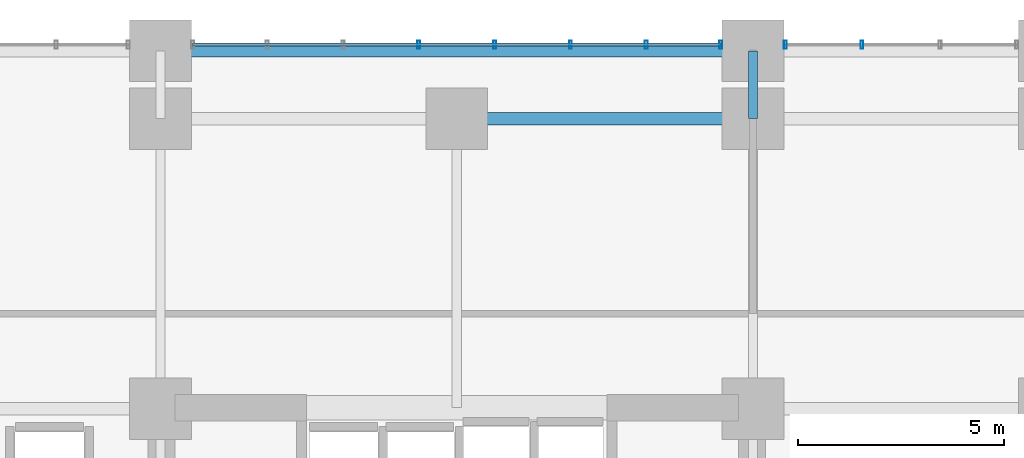
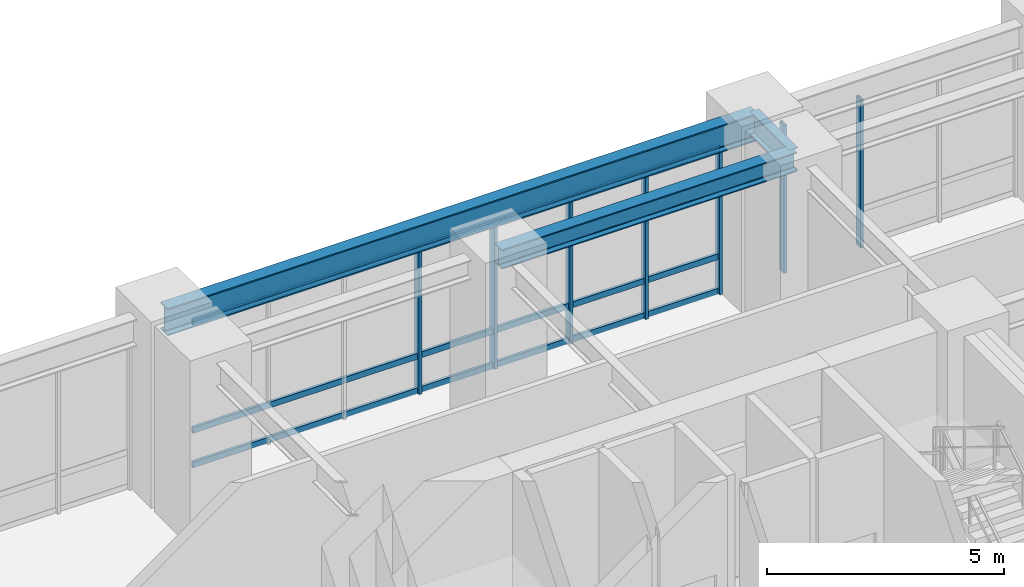
# One storey, part 6 of 22: 10 members, 3 beams, 2 elements without a shape of their own.
"""IFC4 building model written with IfcOpenShell, lengths in metres."""

from ifc_helpers import new_model, si_unit, direction, frame, origin, origin_2d, place, context, subcontext, project, spatial, hollow_rectangle, i_section, extrude, source, transform, mapped, material, layer, layer_set, material_profile, profile_set, type_object, element, aggregate, save


model = new_model("IFC4")

# Units and contexts
model_context = context("Model", 3, precision=1e-05, world=origin(), true_north=direction((0.0, 1.0)))
body_context = subcontext(model_context, "Body", "Model", "MODEL_VIEW")
ifc_project = project(units=[si_unit("LENGTHUNIT", "METRE"), si_unit("AREAUNIT", "SQUARE_METRE"), si_unit("VOLUMEUNIT", "CUBIC_METRE"), si_unit("PLANEANGLEUNIT", "RADIAN"), si_unit("MASSUNIT", "GRAM", prefix="KILO")], contexts=[model_context])

# Site, building, storey
site_placement = place(None, origin())
site = spatial("IfcSite", under=ifc_project, at=site_placement, CompositionType="ELEMENT")
building_placement = place(site_placement, origin())
building = spatial("IfcBuilding", under=site, at=building_placement, Name="Kaliganga Portal Commons", CompositionType="ELEMENT")
storey_placement = place(building_placement, frame((0.0, 0.0, 10.199951171875)))
storey = spatial("IfcBuildingStorey", under=building, at=storey_placement, Name="L02", CompositionType="ELEMENT", Elevation=10.199951171875)

# Beams
ifc_material_1 = material(Name="Structural steel S355J2", Category="steel")
ifc_material_profile_1 = material_profile(ifc_material_1, i_section(OverallWidth=0.300048828125, OverallDepth=0.699951171875, WebThickness=0.01708984375, FlangeThickness=0.031982421875, FilletRadius=0.027099609375, at=origin_2d()), Name="HE 700 B")
ifc_profile_set_1 = profile_set([ifc_material_profile_1], Name="Structural steel S355J2 wide-flange")
beam_type_1 = type_object("IfcBeamType", Name="BM-GIRD-700", PredefinedType="USERDEFINED", material=ifc_profile_set_1)
shared_shape_1 = source(origin(), body_context, "Body", "SweptSolid", [
    extrude(i_section(OverallWidth=0.300048828125, OverallDepth=0.699951171875, WebThickness=0.01708984375, FlangeThickness=0.031982421875, FilletRadius=0.027099609375, at=origin_2d()), origin(), (0.0, 0.0, 1.0), 14.400146484375),
])
beam_1_placement = place(storey_placement, frame((14.39990234375, 44.85009765625, 4.170166015625), z_axis=(1.0, 0.0, 0.0), x_axis=(0.0, 1.0, 0.0)))
element("IfcBeam", 1, at=beam_1_placement, inside=storey, type_object=beam_type_1, Name="BM PODP L02 N44 2", ObjectType="GIRDER", PredefinedType="USERDEFINED", context=body_context, shape_type="MappedRepresentation", body=[
    mapped(shared_shape_1, transform((0.0, 0.0, 0.0), x_axis=(1.0, 0.0, 0.0), y_axis=(0.0, 1.0, 0.0), z_axis=(0.0, 0.0, 1.0), scale=1.0)),
])
ifc_material_profile_2 = material_profile(ifc_material_1, i_section(OverallWidth=0.219970703125, OverallDepth=0.60009765625, WebThickness=0.011962890625, FlangeThickness=0.01904296875, FilletRadius=0.02392578125, at=origin_2d()), Name="IPE 600")
ifc_profile_set_2 = profile_set([ifc_material_profile_2], Name="Structural steel S355J2 wide-flange")
beam_type_2 = type_object("IfcBeamType", Name="BM-FLR-600", PredefinedType="BEAM", material=ifc_profile_set_2)
shared_shape_2 = source(origin(), body_context, "Body", "SweptSolid", [
    extrude(i_section(OverallWidth=0.219970703125, OverallDepth=0.60009765625, WebThickness=0.011962890625, FlangeThickness=0.01904296875, FilletRadius=0.02392578125, at=origin_2d()), origin(), (0.0, 0.0, 1.0), 1.650146484375),
])
beam_2_placement = place(storey_placement, frame((28.800048828125, 43.199951171875, 4.219970703125), z_axis=(0.0, 1.0, 0.0), x_axis=(-1.0, 0.0, 0.0)))
element("IfcBeam", 2, at=beam_2_placement, inside=storey, type_object=beam_type_2, Name="BM PODP L02 NT28", PredefinedType="BEAM", context=body_context, shape_type="MappedRepresentation", body=[
    mapped(shared_shape_2, transform((0.0, 0.0, 0.0), x_axis=(1.0, 0.0, 0.0), y_axis=(0.0, 1.0, 0.0), z_axis=(0.0, 0.0, 1.0), scale=1.0)),
])
ifc_material_profile_3 = material_profile(ifc_material_1, i_section(OverallWidth=0.300048828125, OverallDepth=0.5, WebThickness=0.014404296875, FlangeThickness=0.028076171875, FilletRadius=0.027099609375, at=origin_2d()), Name="HE 500 B")
ifc_profile_set_3 = profile_set([ifc_material_profile_3], Name="Structural steel S355J2 wide-flange")
beam_type_3 = type_object("IfcBeamType", Name="BM-SPAND-500", PredefinedType="SPANDREL", material=ifc_profile_set_3)
shared_shape_3 = source(origin(), body_context, "Body", "SweptSolid", [
    extrude(i_section(OverallWidth=0.300048828125, OverallDepth=0.5, WebThickness=0.014404296875, FlangeThickness=0.028076171875, FilletRadius=0.027099609375, at=origin_2d()), origin(), (0.0, 0.0, 1.0), 7.199951171875),
])
beam_3_placement = place(storey_placement, frame((21.60009765625, 43.199951171875, 4.27001953125), z_axis=(1.0, 0.0, 0.0), x_axis=(0.0, 1.0, 0.0)))
element("IfcBeam", 3, at=beam_3_placement, inside=storey, type_object=beam_type_3, Name="BM SP L02 AN 2", PredefinedType="SPANDREL", context=body_context, shape_type="MappedRepresentation", body=[
    mapped(shared_shape_3, transform((0.0, 0.0, 0.0), x_axis=(1.0, 0.0, 0.0), y_axis=(0.0, 1.0, 0.0), z_axis=(0.0, 0.0, 1.0), scale=1.0)),
])

# Curtain wall, members
ifc_material_2 = material(Name="Anodized Aluminium and Laminated Low-E Glass", Category="aluminium")
ifc_layer = layer(ifc_material_2, 0.219970703125)
ifc_layer_set = layer_set([ifc_layer], Name="Anodized Aluminium and Laminated Low-E Glass")
curtain_wall_type = type_object("IfcCurtainWallType", Name="CW-SYS-01", PredefinedType="NOTDEFINED", material=ifc_layer_set)
curtain_wall_1_placement = place(storey_placement, origin())
curtain_wall_1 = element("IfcCurtainWall", 4, at=curtain_wall_1_placement, inside=storey, type_object=curtain_wall_type, Name="CW 01 L02 P1E02S6", PredefinedType="NOTDEFINED")
ifc_material_3 = material(Name="Dark Bronze Anodized Aluminium", Category="aluminium")
ifc_material_profile_4 = material_profile(ifc_material_3, hollow_rectangle(XDim=0.070068359375, YDim=0.14990234375, WallThickness=0.00341796875, at=origin_2d()), Name="ALU TRAN 70x150x3.5")
ifc_profile_set_4 = profile_set([ifc_material_profile_4], Name="Dark Bronze Anodized Aluminium")
member_type_1 = type_object("IfcMemberType", Name="CW-TRN-150", PredefinedType="USERDEFINED", material=ifc_profile_set_4)
shared_shape_4 = source(origin(), body_context, "Body", "SweptSolid", [
    extrude(hollow_rectangle(XDim=0.070068359375, YDim=0.14990234375, WallThickness=0.00341796875, at=origin_2d()), origin(), (0.0, 0.0, 1.0), 12.858154296875),
])
member_1_placement = place(storey_placement, frame((28.029052734375, 45.0, 0.06005859375), z_axis=(-1.0, 0.0, 0.0), x_axis=(0.0, -1.0, 0.0)))
member_1 = element("IfcMember", 5, at=member_1_placement, type_object=member_type_1, Name="CW:01:L02:P1E02S6 Transom 1", ObjectType="TRANSOM", PredefinedType="USERDEFINED", context=body_context, shape_type="MappedRepresentation", body=[
    mapped(shared_shape_4, transform((0.0, 0.0, 0.0), x_axis=(1.0, 0.0, 0.0), y_axis=(0.0, 1.0, 0.0), z_axis=(0.0, 0.0, 1.0), scale=1.0)),
])
member_2_placement = place(storey_placement, frame((28.029052734375, 45.0, 0.949951171875), z_axis=(-1.0, 0.0, 0.0), x_axis=(0.0, -1.0, 0.0)))
member_2 = element("IfcMember", 6, at=member_2_placement, type_object=member_type_1, Name="CW:01:L02:P1E02S6 Transom 2", ObjectType="TRANSOM", PredefinedType="USERDEFINED", context=body_context, shape_type="MappedRepresentation", body=[
    mapped(shared_shape_4, transform((0.0, 0.0, 0.0), x_axis=(1.0, 0.0, 0.0), y_axis=(0.0, 1.0, 0.0), z_axis=(0.0, 0.0, 1.0), scale=1.0)),
])
member_3_placement = place(storey_placement, frame((28.029052734375, 45.0, 3.739990234375), z_axis=(-1.0, 0.0, 0.0), x_axis=(0.0, -1.0, 0.0)))
member_3 = element("IfcMember", 7, at=member_3_placement, type_object=member_type_1, Name="CW:01:L02:P1E02S6 Transom 3", ObjectType="TRANSOM", PredefinedType="USERDEFINED", context=body_context, shape_type="MappedRepresentation", body=[
    mapped(shared_shape_4, transform((0.0, 0.0, 0.0), x_axis=(1.0, 0.0, 0.0), y_axis=(0.0, 1.0, 0.0), z_axis=(0.0, 0.0, 1.0), scale=1.0)),
])

curtain_wall_2_placement = place(storey_placement, origin())
curtain_wall_2 = element("IfcCurtainWall", 8, at=curtain_wall_2_placement, inside=storey, type_object=curtain_wall_type, Name="CW 01 L02 P1E02S5", PredefinedType="NOTDEFINED")
ifc_material_profile_5 = material_profile(ifc_material_3, hollow_rectangle(XDim=0.070068359375, YDim=0.199951171875, WallThickness=0.00390625, at=origin_2d()), Name="ALU MULL 70x200x4")
ifc_profile_set_5 = profile_set([ifc_material_profile_5], Name="Dark Bronze Anodized Aluminium")
member_type_2 = type_object("IfcMemberType", Name="CW-MUL-220", PredefinedType="MULLION", material=ifc_profile_set_5)
shared_shape_5 = source(origin(), body_context, "Body", "SweptSolid", [
    extrude(hollow_rectangle(XDim=0.070068359375, YDim=0.199951171875, WallThickness=0.00390625, at=origin_2d()), origin(), (0.0, 0.0, 1.0), 3.820068359375),
])
member_4_placement = place(storey_placement, frame((31.4501953125, 45.0, 0.0), z_axis=(0.0, 0.0, 1.0), x_axis=(-1.0, 0.0, 0.0)))
member_4 = element("IfcMember", 9, at=member_4_placement, type_object=member_type_2, Name="CW:01:L02:P1E02S5 Mullion 02", PredefinedType="MULLION", context=body_context, shape_type="MappedRepresentation", body=[
    mapped(shared_shape_5, transform((0.0, 0.0, 0.0), x_axis=(1.0, 0.0, 0.0), y_axis=(0.0, 1.0, 0.0), z_axis=(0.0, 0.0, 1.0), scale=1.0)),
])
member_5_placement = place(storey_placement, frame((29.5859375, 45.0, 0.0), z_axis=(0.0, 0.0, 1.0), x_axis=(-1.0, 0.0, 0.0)))
member_5 = element("IfcMember", 10, at=member_5_placement, type_object=member_type_2, Name="CW:01:L02:P1E02S5 Mullion 03", PredefinedType="MULLION", context=body_context, shape_type="MappedRepresentation", body=[
    mapped(shared_shape_5, transform((0.0, 0.0, 0.0), x_axis=(1.0, 0.0, 0.0), y_axis=(0.0, 1.0, 0.0), z_axis=(0.0, 0.0, 1.0), scale=1.0)),
])
aggregate(curtain_wall_2, [member_4, member_5])

# Member
member_6_placement = place(storey_placement, frame((28.013916015625, 45.0, 0.0), z_axis=(0.0, 0.0, 1.0), x_axis=(-1.0, 0.0, 0.0)))
member_6 = element("IfcMember", 11, at=member_6_placement, type_object=member_type_2, Name="CW:01:L02:P1E02S6 Mullion 00", PredefinedType="MULLION", context=body_context, shape_type="MappedRepresentation", body=[
    mapped(shared_shape_5, transform((0.0, 0.0, 0.0), x_axis=(1.0, 0.0, 0.0), y_axis=(0.0, 1.0, 0.0), z_axis=(0.0, 0.0, 1.0), scale=1.0)),
])

member_7_placement = place(storey_placement, frame((26.206298828125, 45.0, 0.0), z_axis=(0.0, 0.0, 1.0), x_axis=(-1.0, 0.0, 0.0)))
member_7 = element("IfcMember", 12, at=member_7_placement, type_object=member_type_2, Name="CW:01:L02:P1E02S6 Mullion 01", PredefinedType="MULLION", context=body_context, shape_type="MappedRepresentation", body=[
    mapped(shared_shape_5, transform((0.0, 0.0, 0.0), x_axis=(1.0, 0.0, 0.0), y_axis=(0.0, 1.0, 0.0), z_axis=(0.0, 0.0, 1.0), scale=1.0)),
])

member_8_placement = place(storey_placement, frame((24.364013671875, 45.0, 0.0), z_axis=(0.0, 0.0, 1.0), x_axis=(-1.0, 0.0, 0.0)))
member_8 = element("IfcMember", 13, at=member_8_placement, type_object=member_type_2, Name="CW:01:L02:P1E02S6 Mullion 02", PredefinedType="MULLION", context=body_context, shape_type="MappedRepresentation", body=[
    mapped(shared_shape_5, transform((0.0, 0.0, 0.0), x_axis=(1.0, 0.0, 0.0), y_axis=(0.0, 1.0, 0.0), z_axis=(0.0, 0.0, 1.0), scale=1.0)),
])

member_9_placement = place(storey_placement, frame((22.521240234375, 45.0, 0.0), z_axis=(0.0, 0.0, 1.0), x_axis=(-1.0, 0.0, 0.0)))
member_9 = element("IfcMember", 14, at=member_9_placement, type_object=member_type_2, Name="CW:01:L02:P1E02S6 Mullion 03", PredefinedType="MULLION", context=body_context, shape_type="MappedRepresentation", body=[
    mapped(shared_shape_5, transform((0.0, 0.0, 0.0), x_axis=(1.0, 0.0, 0.0), y_axis=(0.0, 1.0, 0.0), z_axis=(0.0, 0.0, 1.0), scale=1.0)),
])

member_10_placement = place(storey_placement, frame((20.6787109375, 45.0, 0.0), z_axis=(0.0, 0.0, 1.0), x_axis=(-1.0, 0.0, 0.0)))
member_10 = element("IfcMember", 15, at=member_10_placement, type_object=member_type_2, Name="CW:01:L02:P1E02S6 Mullion 04", PredefinedType="MULLION", context=body_context, shape_type="MappedRepresentation", body=[
    mapped(shared_shape_5, transform((0.0, 0.0, 0.0), x_axis=(1.0, 0.0, 0.0), y_axis=(0.0, 1.0, 0.0), z_axis=(0.0, 0.0, 1.0), scale=1.0)),
])

aggregate(curtain_wall_1, [member_6, member_7, member_8, member_9, member_10, member_1, member_2, member_3])

save(model, "model.ifc")
